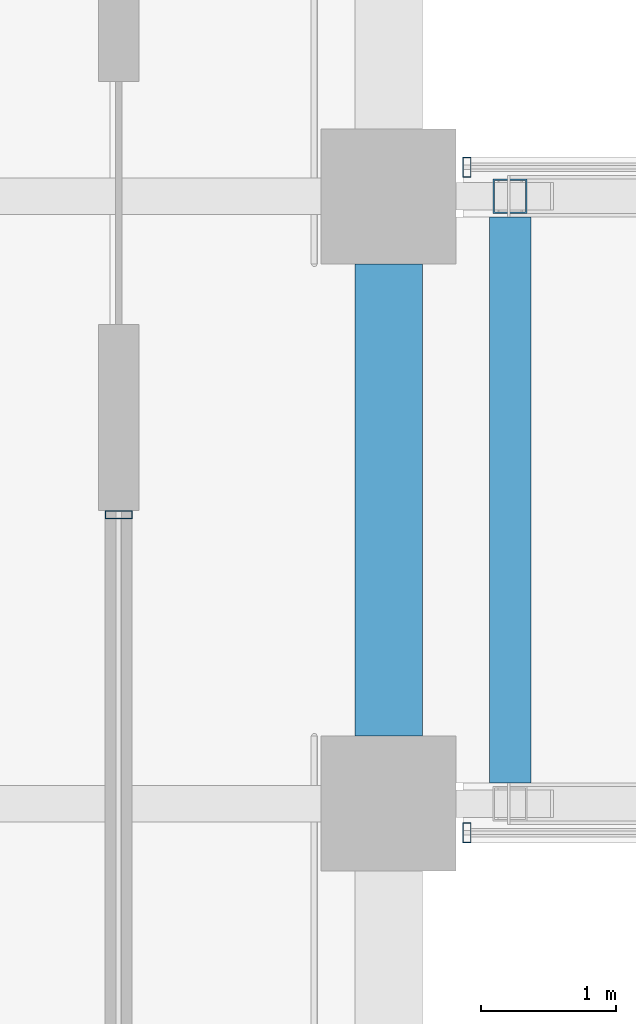
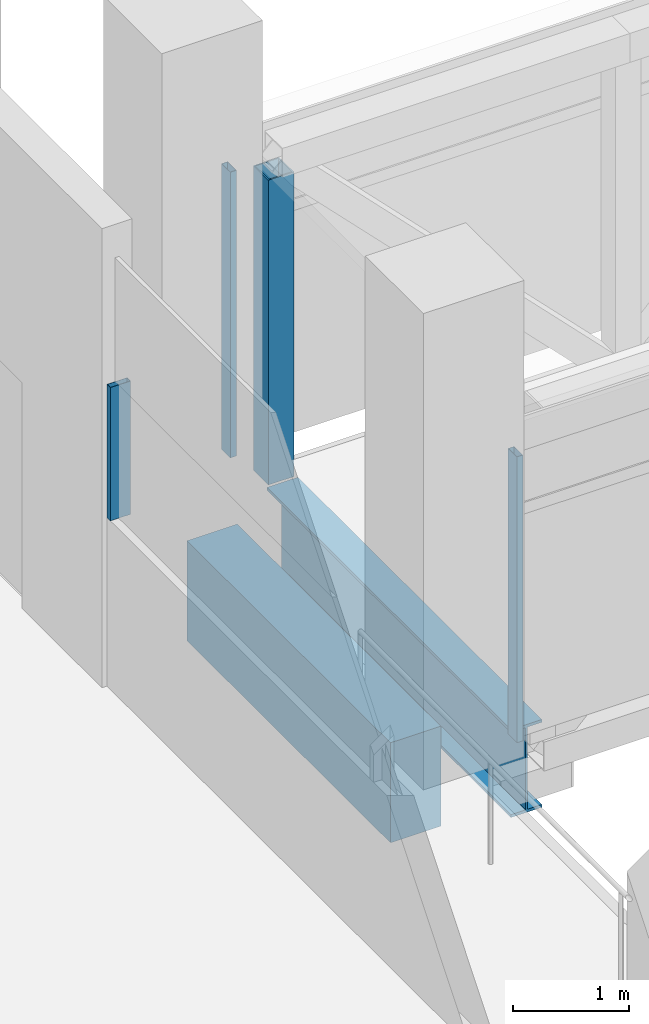
# One storey, part 11 of 48: 4 members, 2 beams, 3 elements without a shape of their own.
"""IFC4 building model written with IfcOpenShell, lengths in metres."""

from ifc_helpers import new_model, si_unit, direction, frame, origin, origin_2d, place, context, subcontext, project, spatial, rectangle, hollow_rectangle, i_section, extrude, material, material_profile, profile_set, type_object, element, aggregate, save


model = new_model("IFC4")

# Units and contexts
model_context = context("Model", 3, precision=1e-05, world=origin(), true_north=direction((0.0, 1.0)))
body_context = subcontext(model_context, "Body", "Model", "MODEL_VIEW")
ifc_project = project(units=[si_unit("LENGTHUNIT", "METRE"), si_unit("AREAUNIT", "SQUARE_METRE"), si_unit("VOLUMEUNIT", "CUBIC_METRE"), si_unit("PLANEANGLEUNIT", "RADIAN"), si_unit("MASSUNIT", "GRAM", prefix="KILO")], contexts=[model_context])

# Site, building, storey
site_placement = place(None, origin())
site = spatial("IfcSite", under=ifc_project, at=site_placement, CompositionType="ELEMENT")
building_placement = place(site_placement, origin())
building = spatial("IfcBuilding", under=site, at=building_placement, Name="Altepetl Exchange Towers", CompositionType="ELEMENT")
storey_placement = place(building_placement, frame((0.0, 0.0, 138.800048828125)))
storey = spatial("IfcBuildingStorey", under=building, at=storey_placement, Name="L34 Refuge and sky lobby", CompositionType="ELEMENT", Elevation=138.800048828125)

# Beam
ifc_material_1 = material(Name="Steel S355", Category="steel")
ifc_material_profile_1 = material_profile(ifc_material_1, i_section(OverallWidth=0.306884765625, OverallDepth=0.923095703125, WebThickness=0.018310546875, FlangeThickness=0.030029296875, at=origin_2d()), Name="W36X182")
ifc_profile_set_1 = profile_set([ifc_material_profile_1], Name="Steel S355")
beam_type_1 = type_object("IfcBeamType", Name="Bridge deck beam W36X182", PredefinedType="BEAM", material=ifc_profile_set_1)
beam_1_placement = place(storey_placement, frame((72.89990234375, 45.152587890625, -0.66162109375), z_axis=(0.0, 1.0, 0.0), x_axis=(-1.0, 0.0, 0.0)))
element("IfcBeam", 1, at=beam_1_placement, inside=storey, type_object=beam_type_1, Name="bm:X:L34:eg-a", PredefinedType="BEAM", context=body_context, shape_type="SweptSolid", body=[
    extrude(i_section(OverallWidth=0.306884765625, OverallDepth=0.923095703125, WebThickness=0.018310546875, FlangeThickness=0.030029296875, at=origin_2d()), origin(), (0.0, 0.0, 1.0), 4.19482421875),
])

# Member
ifc_material_profile_2 = material_profile(ifc_material_1, hollow_rectangle(XDim=0.25390625, YDim=0.25390625, WallThickness=0.01171875, at=origin_2d()), Name="HSS254X254X12.7")
ifc_profile_set_2 = profile_set([ifc_material_profile_2], Name="Steel S355")
member_type_1 = type_object("IfcMemberType", Name="Bridge post HSS254X254X12.7", PredefinedType="POST", material=ifc_profile_set_2)
member_1_placement = place(storey_placement, frame((72.89990234375, 49.5, -0.199951171875)))
element("IfcMember", 2, at=member_1_placement, inside=storey, type_object=member_type_1, Name="tr:X:L34:ps-n0", PredefinedType="POST", context=body_context, shape_type="SweptSolid", body=[
    extrude(hollow_rectangle(XDim=0.25390625, YDim=0.25390625, WallThickness=0.01171875, at=origin_2d()), origin(), (0.0, 0.0, 1.0), 3.199951171875),
])

# Curtain wall, member
ifc_material_2 = material(Name="Aluminium 6063-T6 glazing", Category="aluminium")
curtain_wall_type_1 = type_object("IfcCurtainWallType", Name="Bridge enclosure system", PredefinedType="NOTDEFINED", material=ifc_material_2)
curtain_wall_1_placement = place(storey_placement, origin())
curtain_wall_1 = element("IfcCurtainWall", 3, at=curtain_wall_1_placement, inside=storey, type_object=curtain_wall_type_1, Name="CW6 run", PredefinedType="NOTDEFINED")
ifc_material_3 = material(Name="Aluminium 6063-T6", Category="aluminium")
ifc_material_profile_3 = material_profile(ifc_material_3, hollow_rectangle(XDim=0.06005859375, YDim=0.14990234375, WallThickness=0.0029296875, at=origin_2d()), Name="Mullion 60x150 aluminium")
ifc_profile_set_3 = profile_set([ifc_material_profile_3], Name="Aluminium 6063-T6")
member_type_2 = type_object("IfcMemberType", Name="Mullion 60x150 aluminium", PredefinedType="MULLION", material=ifc_profile_set_3)
member_2_placement = place(storey_placement, frame((72.580078125, 44.784912109375, 0.0)))
member_2 = element("IfcMember", 4, at=member_2_placement, type_object=member_type_2, Name="MU1 mullion", PredefinedType="MULLION", context=body_context, shape_type="SweptSolid", body=[
    extrude(hollow_rectangle(XDim=0.06005859375, YDim=0.14990234375, WallThickness=0.0029296875, at=origin_2d()), origin(), (0.0, 0.0, 1.0), 3.0),
])
aggregate(curtain_wall_1, [member_2])

curtain_wall_2_placement = place(storey_placement, origin())
curtain_wall_2 = element("IfcCurtainWall", 5, at=curtain_wall_2_placement, inside=storey, type_object=curtain_wall_type_1, Name="CW6 run", PredefinedType="NOTDEFINED")
member_3_placement = place(storey_placement, frame((72.580078125, 49.715087890625, 0.0)))
member_3 = element("IfcMember", 6, at=member_3_placement, type_object=member_type_2, Name="MU1 mullion", PredefinedType="MULLION", context=body_context, shape_type="SweptSolid", body=[
    extrude(hollow_rectangle(XDim=0.06005859375, YDim=0.14990234375, WallThickness=0.0029296875, at=origin_2d()), origin(), (0.0, 0.0, 1.0), 3.0),
])
aggregate(curtain_wall_2, [member_3])

curtain_wall_type_2 = type_object("IfcCurtainWallType", Name="Refuge slit glazing system", PredefinedType="NOTDEFINED", material=ifc_material_2)
curtain_wall_3_placement = place(storey_placement, origin())
curtain_wall_3 = element("IfcCurtainWall", 7, at=curtain_wall_3_placement, inside=storey, type_object=curtain_wall_type_2, Name="CW3 run", PredefinedType="NOTDEFINED")
ifc_material_profile_4 = material_profile(ifc_material_3, hollow_rectangle(XDim=0.06005859375, YDim=0.199951171875, WallThickness=0.0029296875, at=origin_2d()), Name="Mullion 60x200 aluminium")
ifc_profile_set_4 = profile_set([ifc_material_profile_4], Name="Aluminium 6063-T6")
member_type_3 = type_object("IfcMemberType", Name="Mullion 60x200 aluminium", PredefinedType="MULLION", material=ifc_profile_set_4)
member_4_placement = place(storey_placement, frame((70.0, 47.141357421875, 1.800048828125), z_axis=(0.0, 0.0, 1.0), x_axis=(0.0, 1.0, 0.0)))
member_4 = element("IfcMember", 8, at=member_4_placement, type_object=member_type_3, Name="MU2 mullion", PredefinedType="MULLION", context=body_context, shape_type="SweptSolid", body=[
    extrude(hollow_rectangle(XDim=0.06005859375, YDim=0.199951171875, WallThickness=0.0029296875, at=origin_2d()), origin(), (0.0, 0.0, 1.0), 1.39990234375),
])
aggregate(curtain_wall_3, [member_4])

# Beam
ifc_material_4 = material(Name="Concrete C50/60 precast with cantera amarilla facing", Category="concrete")
ifc_material_profile_5 = material_profile(ifc_material_4, rectangle(XDim=0.5, YDim=1.050048828125, at=origin_2d()), Name="500 x 1050")
ifc_profile_set_5 = profile_set([ifc_material_profile_5], Name="Concrete C50/60 precast with cantera amarilla facing")
beam_type_2 = type_object("IfcBeamType", Name="Spandrel beam 500x1050 cantera amarilla", PredefinedType="SPANDREL", material=ifc_profile_set_5)
beam_2_placement = place(storey_placement, frame((72.0, 45.5, -0.72509765625), z_axis=(0.0, 1.0, 0.0), x_axis=(-1.0, 0.0, 0.0)))
element("IfcBeam", 9, at=beam_2_placement, inside=storey, type_object=beam_type_2, Name="sp:A:L34:015", PredefinedType="SPANDREL", context=body_context, shape_type="SweptSolid", body=[
    extrude(rectangle(XDim=0.5, YDim=1.050048828125, at=origin_2d()), origin(), (0.0, 0.0, 1.0), 3.5),
])

save(model, "model.ifc")
